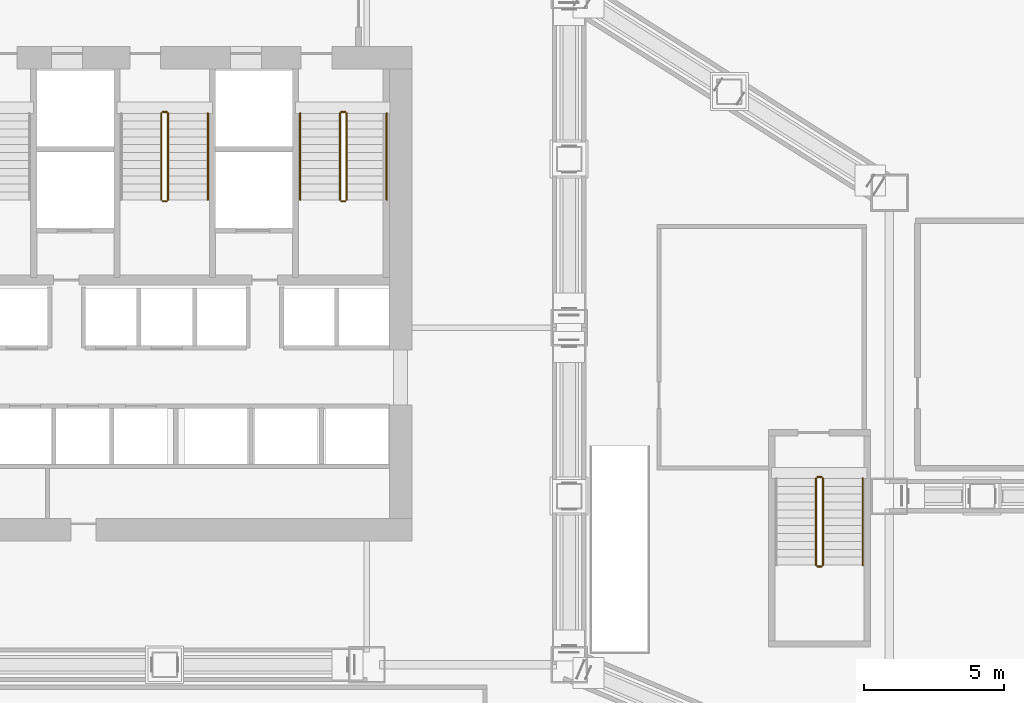
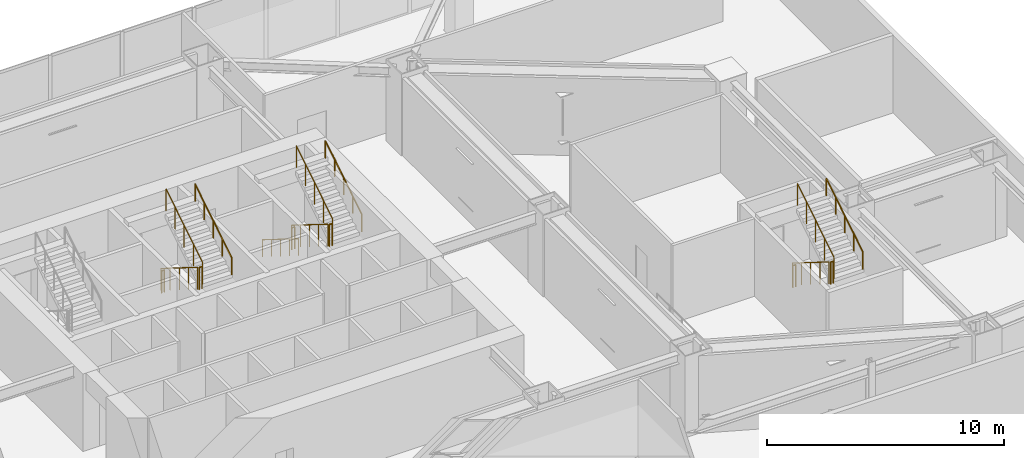
# One storey, part 38 of 39: 16 railings.
"""IFC4 building model written with IfcOpenShell, lengths in metres."""

from ifc_helpers import new_model, si_unit, direction, frame, origin, origin_2d, place, context, subcontext, project, spatial, circle, extrude, material, type_object, element, save


model = new_model("IFC4")

# Units and contexts
model_context = context("Model", 3, precision=1e-05, world=origin(), true_north=direction((0.0, 1.0)))
body_context = subcontext(model_context, "Body", "Model", "MODEL_VIEW")
ifc_project = project(units=[si_unit("LENGTHUNIT", "METRE"), si_unit("AREAUNIT", "SQUARE_METRE"), si_unit("VOLUMEUNIT", "CUBIC_METRE"), si_unit("PLANEANGLEUNIT", "RADIAN"), si_unit("MASSUNIT", "GRAM", prefix="KILO")], contexts=[model_context])

# Site, building, storey
site_placement = place(None, origin())
site = spatial("IfcSite", under=ifc_project, at=site_placement, CompositionType="ELEMENT")
building_placement = place(site_placement, origin())
building = spatial("IfcBuilding", under=site, at=building_placement, Name="Haolan Belvedere Tower", CompositionType="ELEMENT")
storey_placement = place(building_placement, frame((0.0, 0.0, 19.800048828125)))
storey = spatial("IfcBuildingStorey", under=building, at=storey_placement, Name="L04", CompositionType="ELEMENT", Elevation=19.800048828125)

# Railings
ifc_material = material(Name="Brushed stainless steel 304", Category="steel")
railing_type_1 = type_object("IfcRailingType", Name="RL-STAIR-GRD-1150", PredefinedType="GUARDRAIL", material=ifc_material)
railing_1_placement = place(storey_placement, frame((38.280029296875, 41.22998046875, 0.175048828125)))
element("IfcRailing", 1, at=railing_1_placement, inside=storey, type_object=railing_type_1, Name="L04 ST3 stair guard 1", PredefinedType="GUARDRAIL", context=body_context, shape_type="SweptSolid", body=[
    extrude(circle(Radius=0.02392578125, at=origin_2d()), frame((0.0, 0.0, 1.1259765625), z_axis=(0.0, -0.848028513186, 0.529950602248), x_axis=(1.0, 0.0, 0.0)), (0.0, 0.0, 1.0), 3.632080078125),
    extrude(circle(Radius=0.02099609375, at=origin_2d()), origin(), (0.0, 0.0, 1.0), 1.101806640625),
    extrude(circle(Radius=0.02099609375, at=origin_2d()), frame((0.0, -0.77001953125, 0.481201171875)), (0.0, 0.0, 1.0), 1.101806640625),
    extrude(circle(Radius=0.02099609375, at=origin_2d()), frame((0.0, -1.5400390625, 0.96240234375)), (0.0, 0.0, 1.0), 1.101806640625),
    extrude(circle(Radius=0.02099609375, at=origin_2d()), frame((0.0, -2.31005859375, 1.443603515625)), (0.0, 0.0, 1.0), 1.101806640625),
    extrude(circle(Radius=0.02099609375, at=origin_2d()), frame((0.0, -3.080078125, 1.9248046875)), (0.0, 0.0, 1.0), 1.101806640625),
])
railing_2_placement = place(storey_placement, frame((38.330078125, 38.10009765625, 2.099853515625)))
element("IfcRailing", 2, at=railing_2_placement, inside=storey, type_object=railing_type_1, Name="L04 ST3 stair guard 2", PredefinedType="GUARDRAIL", context=body_context, shape_type="SweptSolid", body=[
    extrude(circle(Radius=0.02392578125, at=origin_2d()), frame((0.0, 0.0, 1.1259765625), z_axis=(1.0, 0.0, 0.0), x_axis=(0.0, 1.0, 0.0)), (0.0, 0.0, 1.0), 0.139892578125),
    extrude(circle(Radius=0.02099609375, at=origin_2d()), origin(), (0.0, 0.0, 1.0), 1.101806640625),
    extrude(circle(Radius=0.02099609375, at=origin_2d()), frame((0.139892578125, 0.0, 0.0)), (0.0, 0.0, 1.0), 1.101806640625),
])
railing_3_placement = place(storey_placement, frame((38.52001953125, 38.14990234375, 2.27490234375)))
element("IfcRailing", 3, at=railing_3_placement, inside=storey, type_object=railing_type_1, Name="L04 ST3 stair guard 3", PredefinedType="GUARDRAIL", context=body_context, shape_type="SweptSolid", body=[
    extrude(circle(Radius=0.02392578125, at=origin_2d()), frame((0.0, 0.0, 1.1259765625), z_axis=(0.0, 0.847998304005, 0.529998940003), x_axis=(-1.0, 0.0, 0.0)), (0.0, 0.0, 1.0), 3.632080078125),
    extrude(circle(Radius=0.02099609375, at=origin_2d()), origin(), (0.0, 0.0, 1.0), 1.101806640625),
    extrude(circle(Radius=0.02099609375, at=origin_2d()), frame((0.0, 0.77001953125, 0.481201171875)), (0.0, 0.0, 1.0), 1.101806640625),
    extrude(circle(Radius=0.02099609375, at=origin_2d()), frame((0.0, 1.5400390625, 0.96240234375)), (0.0, 0.0, 1.0), 1.101806640625),
    extrude(circle(Radius=0.02099609375, at=origin_2d()), frame((0.0, 2.31005859375, 1.44384765625)), (0.0, 0.0, 1.0), 1.101806640625),
    extrude(circle(Radius=0.02099609375, at=origin_2d()), frame((0.0, 3.080078125, 1.925048828125)), (0.0, 0.0, 1.0), 1.101806640625),
])
railing_4_placement = place(storey_placement, frame((38.330078125, 41.280029296875, 0.0)))
element("IfcRailing", 4, at=railing_4_placement, inside=storey, type_object=railing_type_1, Name="L04 ST3 stair guard 4", PredefinedType="GUARDRAIL", context=body_context, shape_type="SweptSolid", body=[
    extrude(circle(Radius=0.02392578125, at=origin_2d()), frame((0.0, 0.0, 1.1259765625), z_axis=(1.0, 0.0, 0.0), x_axis=(0.0, 1.0, 0.0)), (0.0, 0.0, 1.0), 0.139892578125),
    extrude(circle(Radius=0.02099609375, at=origin_2d()), origin(), (0.0, 0.0, 1.0), 1.101806640625),
    extrude(circle(Radius=0.02099609375, at=origin_2d()), frame((0.139892578125, 0.0, 0.0)), (0.0, 0.0, 1.0), 1.101806640625),
])
railing_5_placement = place(storey_placement, frame((44.639892578125, 41.22998046875, 0.175048828125)))
element("IfcRailing", 5, at=railing_5_placement, inside=storey, type_object=railing_type_1, Name="L04 ST2 stair guard 1", PredefinedType="GUARDRAIL", context=body_context, shape_type="SweptSolid", body=[
    extrude(circle(Radius=0.02392578125, at=origin_2d()), frame((0.0, 0.0, 1.1259765625), z_axis=(0.0, -0.848028513186, 0.529950602248), x_axis=(1.0, 0.0, 0.0)), (0.0, 0.0, 1.0), 3.632080078125),
    extrude(circle(Radius=0.02099609375, at=origin_2d()), origin(), (0.0, 0.0, 1.0), 1.101806640625),
    extrude(circle(Radius=0.02099609375, at=origin_2d()), frame((0.0, -0.77001953125, 0.481201171875)), (0.0, 0.0, 1.0), 1.101806640625),
    extrude(circle(Radius=0.02099609375, at=origin_2d()), frame((0.0, -1.5400390625, 0.96240234375)), (0.0, 0.0, 1.0), 1.101806640625),
    extrude(circle(Radius=0.02099609375, at=origin_2d()), frame((0.0, -2.31005859375, 1.443603515625)), (0.0, 0.0, 1.0), 1.101806640625),
    extrude(circle(Radius=0.02099609375, at=origin_2d()), frame((0.0, -3.080078125, 1.9248046875)), (0.0, 0.0, 1.0), 1.101806640625),
])
railing_6_placement = place(storey_placement, frame((44.68994140625, 38.10009765625, 2.099853515625)))
element("IfcRailing", 6, at=railing_6_placement, inside=storey, type_object=railing_type_1, Name="L04 ST2 stair guard 2", PredefinedType="GUARDRAIL", context=body_context, shape_type="SweptSolid", body=[
    extrude(circle(Radius=0.02392578125, at=origin_2d()), frame((0.0, 0.0, 1.1259765625), z_axis=(1.0, 0.0, 0.0), x_axis=(0.0, 1.0, 0.0)), (0.0, 0.0, 1.0), 0.14013671875),
    extrude(circle(Radius=0.02099609375, at=origin_2d()), origin(), (0.0, 0.0, 1.0), 1.101806640625),
    extrude(circle(Radius=0.02099609375, at=origin_2d()), frame((0.14013671875, 0.0, 0.0)), (0.0, 0.0, 1.0), 1.101806640625),
])
railing_7_placement = place(storey_placement, frame((44.8798828125, 38.14990234375, 2.27490234375)))
element("IfcRailing", 7, at=railing_7_placement, inside=storey, type_object=railing_type_1, Name="L04 ST2 stair guard 3", PredefinedType="GUARDRAIL", context=body_context, shape_type="SweptSolid", body=[
    extrude(circle(Radius=0.02392578125, at=origin_2d()), frame((0.0, 0.0, 1.1259765625), z_axis=(0.0, 0.847998304005, 0.529998940003), x_axis=(-1.0, 0.0, 0.0)), (0.0, 0.0, 1.0), 3.632080078125),
    extrude(circle(Radius=0.02099609375, at=origin_2d()), origin(), (0.0, 0.0, 1.0), 1.101806640625),
    extrude(circle(Radius=0.02099609375, at=origin_2d()), frame((0.0, 0.77001953125, 0.481201171875)), (0.0, 0.0, 1.0), 1.101806640625),
    extrude(circle(Radius=0.02099609375, at=origin_2d()), frame((0.0, 1.5400390625, 0.96240234375)), (0.0, 0.0, 1.0), 1.101806640625),
    extrude(circle(Radius=0.02099609375, at=origin_2d()), frame((0.0, 2.31005859375, 1.44384765625)), (0.0, 0.0, 1.0), 1.101806640625),
    extrude(circle(Radius=0.02099609375, at=origin_2d()), frame((0.0, 3.080078125, 1.925048828125)), (0.0, 0.0, 1.0), 1.101806640625),
])
railing_8_placement = place(storey_placement, frame((44.68994140625, 41.280029296875, 0.0)))
element("IfcRailing", 8, at=railing_8_placement, inside=storey, type_object=railing_type_1, Name="L04 ST2 stair guard 4", PredefinedType="GUARDRAIL", context=body_context, shape_type="SweptSolid", body=[
    extrude(circle(Radius=0.02392578125, at=origin_2d()), frame((0.0, 0.0, 1.1259765625), z_axis=(1.0, 0.0, 0.0), x_axis=(0.0, 1.0, 0.0)), (0.0, 0.0, 1.0), 0.14013671875),
    extrude(circle(Radius=0.02099609375, at=origin_2d()), origin(), (0.0, 0.0, 1.0), 1.101806640625),
    extrude(circle(Radius=0.02099609375, at=origin_2d()), frame((0.14013671875, 0.0, 0.0)), (0.0, 0.0, 1.0), 1.101806640625),
])
railing_9_placement = place(storey_placement, frame((61.590087890625, 28.22998046875, 0.175048828125)))
element("IfcRailing", 9, at=railing_9_placement, inside=storey, type_object=railing_type_1, Name="L04 ST5 stair guard 1", PredefinedType="GUARDRAIL", context=body_context, shape_type="SweptSolid", body=[
    extrude(circle(Radius=0.02392578125, at=origin_2d()), frame((0.0, 0.0, 1.1259765625), z_axis=(0.0, -0.848028513186, 0.529950602248), x_axis=(1.0, 0.0, 0.0)), (0.0, 0.0, 1.0), 3.632080078125),
    extrude(circle(Radius=0.02099609375, at=origin_2d()), origin(), (0.0, 0.0, 1.0), 1.101806640625),
    extrude(circle(Radius=0.02099609375, at=origin_2d()), frame((0.0, -0.77001953125, 0.481201171875)), (0.0, 0.0, 1.0), 1.101806640625),
    extrude(circle(Radius=0.02099609375, at=origin_2d()), frame((0.0, -1.5400390625, 0.96240234375)), (0.0, 0.0, 1.0), 1.101806640625),
    extrude(circle(Radius=0.02099609375, at=origin_2d()), frame((0.0, -2.31005859375, 1.443603515625)), (0.0, 0.0, 1.0), 1.101806640625),
    extrude(circle(Radius=0.02099609375, at=origin_2d()), frame((0.0, -3.080078125, 1.9248046875)), (0.0, 0.0, 1.0), 1.101806640625),
])
railing_10_placement = place(storey_placement, frame((61.639892578125, 25.10009765625, 2.099853515625)))
element("IfcRailing", 10, at=railing_10_placement, inside=storey, type_object=railing_type_1, Name="L04 ST5 stair guard 2", PredefinedType="GUARDRAIL", context=body_context, shape_type="SweptSolid", body=[
    extrude(circle(Radius=0.02392578125, at=origin_2d()), frame((0.0, 0.0, 1.1259765625), z_axis=(1.0, 0.0, 0.0), x_axis=(0.0, 1.0, 0.0)), (0.0, 0.0, 1.0), 0.14013671875),
    extrude(circle(Radius=0.02099609375, at=origin_2d()), origin(), (0.0, 0.0, 1.0), 1.101806640625),
    extrude(circle(Radius=0.02099609375, at=origin_2d()), frame((0.14013671875, 0.0, 0.0)), (0.0, 0.0, 1.0), 1.101806640625),
])
railing_11_placement = place(storey_placement, frame((61.830078125, 25.14990234375, 2.27490234375)))
element("IfcRailing", 11, at=railing_11_placement, inside=storey, type_object=railing_type_1, Name="L04 ST5 stair guard 3", PredefinedType="GUARDRAIL", context=body_context, shape_type="SweptSolid", body=[
    extrude(circle(Radius=0.02392578125, at=origin_2d()), frame((0.0, 0.0, 1.1259765625), z_axis=(0.0, 0.847998304005, 0.529998940003), x_axis=(-1.0, 0.0, 0.0)), (0.0, 0.0, 1.0), 3.632080078125),
    extrude(circle(Radius=0.02099609375, at=origin_2d()), origin(), (0.0, 0.0, 1.0), 1.101806640625),
    extrude(circle(Radius=0.02099609375, at=origin_2d()), frame((0.0, 0.77001953125, 0.481201171875)), (0.0, 0.0, 1.0), 1.101806640625),
    extrude(circle(Radius=0.02099609375, at=origin_2d()), frame((0.0, 1.5400390625, 0.96240234375)), (0.0, 0.0, 1.0), 1.101806640625),
    extrude(circle(Radius=0.02099609375, at=origin_2d()), frame((0.0, 2.31005859375, 1.44384765625)), (0.0, 0.0, 1.0), 1.101806640625),
    extrude(circle(Radius=0.02099609375, at=origin_2d()), frame((0.0, 3.080078125, 1.925048828125)), (0.0, 0.0, 1.0), 1.101806640625),
])
railing_12_placement = place(storey_placement, frame((61.639892578125, 28.280029296875, 0.0)))
element("IfcRailing", 12, at=railing_12_placement, inside=storey, type_object=railing_type_1, Name="L04 ST5 stair guard 4", PredefinedType="GUARDRAIL", context=body_context, shape_type="SweptSolid", body=[
    extrude(circle(Radius=0.02392578125, at=origin_2d()), frame((0.0, 0.0, 1.1259765625), z_axis=(1.0, 0.0, 0.0), x_axis=(0.0, 1.0, 0.0)), (0.0, 0.0, 1.0), 0.14013671875),
    extrude(circle(Radius=0.02099609375, at=origin_2d()), origin(), (0.0, 0.0, 1.0), 1.101806640625),
    extrude(circle(Radius=0.02099609375, at=origin_2d()), frame((0.14013671875, 0.0, 0.0)), (0.0, 0.0, 1.0), 1.101806640625),
])
railing_type_2 = type_object("IfcRailingType", Name="RL-STAIR-HND-900", PredefinedType="HANDRAIL", material=ifc_material)
railing_13_placement = place(storey_placement, frame((39.93994140625, 38.14990234375, 2.27490234375)))
element("IfcRailing", 13, at=railing_13_placement, inside=storey, type_object=railing_type_2, Name="L04 ST3 stair handrail 2", PredefinedType="HANDRAIL", context=body_context, shape_type="SweptSolid", body=[
    extrude(circle(Radius=0.02392578125, at=origin_2d()), frame((0.0, 0.0, 0.8759765625), z_axis=(0.0, 0.847998304005, 0.529998940003), x_axis=(-1.0, 0.0, 0.0)), (0.0, 0.0, 1.0), 3.632080078125),
    extrude(circle(Radius=0.02099609375, at=origin_2d()), origin(), (0.0, 0.0, 1.0), 0.851806640625),
    extrude(circle(Radius=0.02099609375, at=origin_2d()), frame((0.0, 0.77001953125, 0.481201171875)), (0.0, 0.0, 1.0), 0.851806640625),
    extrude(circle(Radius=0.02099609375, at=origin_2d()), frame((0.0, 1.5400390625, 0.96240234375)), (0.0, 0.0, 1.0), 0.851806640625),
    extrude(circle(Radius=0.02099609375, at=origin_2d()), frame((0.0, 2.31005859375, 1.44384765625)), (0.0, 0.0, 1.0), 0.851806640625),
    extrude(circle(Radius=0.02099609375, at=origin_2d()), frame((0.0, 3.080078125, 1.925048828125)), (0.0, 0.0, 1.0), 0.851806640625),
])
railing_14_placement = place(storey_placement, frame((43.219970703125, 41.22998046875, 0.175048828125)))
element("IfcRailing", 14, at=railing_14_placement, inside=storey, type_object=railing_type_2, Name="L04 ST2 stair handrail 1", PredefinedType="HANDRAIL", context=body_context, shape_type="SweptSolid", body=[
    extrude(circle(Radius=0.02392578125, at=origin_2d()), frame((0.0, 0.0, 0.8759765625), z_axis=(0.0, -0.848028513186, 0.529950602248), x_axis=(1.0, 0.0, 0.0)), (0.0, 0.0, 1.0), 3.632080078125),
    extrude(circle(Radius=0.02099609375, at=origin_2d()), origin(), (0.0, 0.0, 1.0), 0.851806640625),
    extrude(circle(Radius=0.02099609375, at=origin_2d()), frame((0.0, -0.77001953125, 0.481201171875)), (0.0, 0.0, 1.0), 0.851806640625),
    extrude(circle(Radius=0.02099609375, at=origin_2d()), frame((0.0, -1.5400390625, 0.96240234375)), (0.0, 0.0, 1.0), 0.851806640625),
    extrude(circle(Radius=0.02099609375, at=origin_2d()), frame((0.0, -2.31005859375, 1.443603515625)), (0.0, 0.0, 1.0), 0.851806640625),
    extrude(circle(Radius=0.02099609375, at=origin_2d()), frame((0.0, -3.080078125, 1.9248046875)), (0.0, 0.0, 1.0), 0.851806640625),
])
for number, where, name in (
    (15, (46.300048828125, 38.14990234375, 2.27490234375), "L04 ST2 stair handrail 2"),
    (16, (63.25, 25.14990234375, 2.27490234375), "L04 ST5 stair handrail 2"),
):
    element("IfcRailing", number, at=place(storey_placement, frame(where)), inside=storey, type_object=railing_type_2, Name=name, PredefinedType="HANDRAIL", context=body_context, shape_type="SweptSolid", body=[
        extrude(circle(Radius=0.02392578125, at=origin_2d()), frame((0.0, 0.0, 0.8759765625), z_axis=(0.0, 0.847998304005, 0.529998940003), x_axis=(-1.0, 0.0, 0.0)), (0.0, 0.0, 1.0), 3.632080078125),
        extrude(circle(Radius=0.02099609375, at=origin_2d()), origin(), (0.0, 0.0, 1.0), 0.851806640625),
        extrude(circle(Radius=0.02099609375, at=origin_2d()), frame((0.0, 0.77001953125, 0.481201171875)), (0.0, 0.0, 1.0), 0.851806640625),
        extrude(circle(Radius=0.02099609375, at=origin_2d()), frame((0.0, 1.5400390625, 0.96240234375)), (0.0, 0.0, 1.0), 0.851806640625),
        extrude(circle(Radius=0.02099609375, at=origin_2d()), frame((0.0, 2.31005859375, 1.44384765625)), (0.0, 0.0, 1.0), 0.851806640625),
        extrude(circle(Radius=0.02099609375, at=origin_2d()), frame((0.0, 3.080078125, 1.925048828125)), (0.0, 0.0, 1.0), 0.851806640625),
    ])

save(model, "model.ifc")
